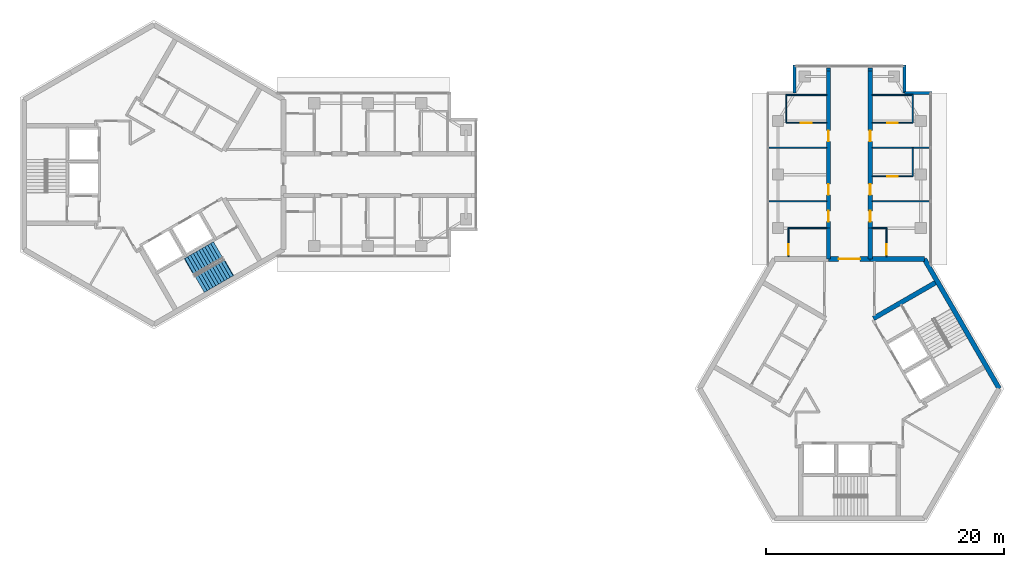
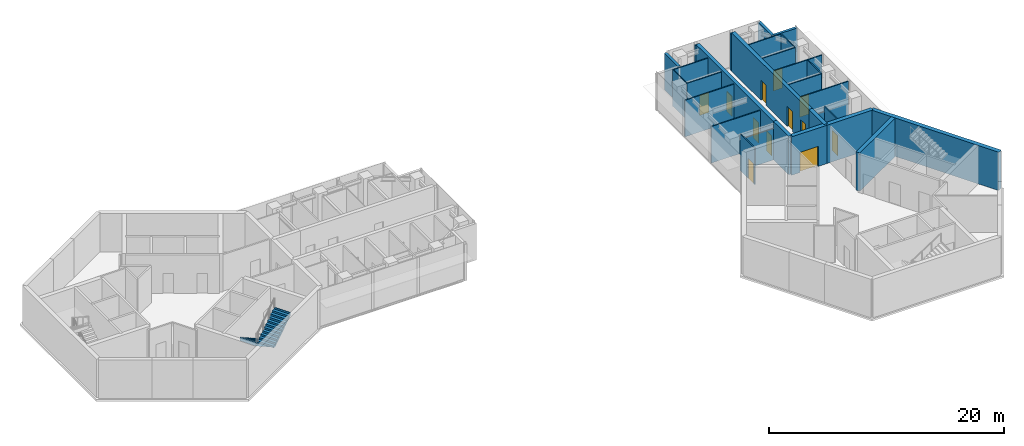
# One storey, part 9 of 11: 29 walls, 12 doors, 2 stair flights, 12 openings, 1 element without a shape of its own.
"""IFC4 building model written with IfcOpenShell, lengths in metres."""

from ifc_helpers import new_model, si_unit, direction, frame, frame_2d, origin, place, context, subcontext, project, spatial, polyline, rectangle, outline, extrude, material, layer, layer_set, type_object, element, fill, aggregate, save


model = new_model("IFC4")

# Units and contexts
model_context = context("Model", 3, precision=1e-05, world=origin(), true_north=direction((0.0, 1.0)))
body_context = subcontext(model_context, "Body", "Model", "MODEL_VIEW")
ifc_project = project(units=[si_unit("LENGTHUNIT", "METRE"), si_unit("AREAUNIT", "SQUARE_METRE"), si_unit("VOLUMEUNIT", "CUBIC_METRE"), si_unit("PLANEANGLEUNIT", "RADIAN"), si_unit("MASSUNIT", "GRAM", prefix="KILO")], contexts=[model_context])

# Site, building, storey
site_placement = place(None, origin())
site = spatial("IfcSite", under=ifc_project, at=site_placement, CompositionType="ELEMENT")
building_placement = place(site_placement, origin())
building = spatial("IfcBuilding", under=site, at=building_placement, Name="Upepo Twin Towers", CompositionType="ELEMENT")
storey_placement = place(building_placement, frame((0.0, 0.0, 279.5)))
storey = spatial("IfcBuildingStorey", under=building, at=storey_placement, Name="L68", CompositionType="ELEMENT", Elevation=279.5)

# Walls
ifc_material_1 = material(Name="Dense concrete blockwork", Category="masonry")
ifc_layer_1 = layer(ifc_material_1, 0.35009765625)
ifc_layer_set_1 = layer_set([ifc_layer_1], Name="Buttress closer 350, blockwork with fire-stopping to the curtain wall")
wall_type_1 = type_object("IfcWallType", Name="Buttress closer 350, blockwork with fire-stopping to the curtain wall", PredefinedType="PARTITIONING", material=ifc_layer_set_1)
for number, where, z_axis, x_axis, name in (
    (1, (56.75, 8.699951171875, 0.0), (0.0, 0.0, 1.0), (0.0, 1.0, 0.0), "T2 L68 wing A buttress closer L"),
    (2, (60.25, 8.699951171875, 0.0), (0.0, 0.0, 1.0), (0.0, 1.0, 0.0), "T2 L68 wing A buttress closer R"),
):
    element("IfcWall", number, at=place(storey_placement, frame(where, z_axis=z_axis, x_axis=x_axis)), inside=storey, type_object=wall_type_1, Name=name, PredefinedType="PARTITIONING", context=body_context, shape_type="SweptSolid", body=[
        extrude(rectangle(XDim=0.275146484375, YDim=0.35009765625, at=frame_2d((0.1376953125, 0.0))), origin(), (0.0, 0.0, 1.0), 3.800048828125),
    ])
ifc_material_2 = material(Name="Concrete C60/75", Category="concrete")
ifc_layer_2 = layer(ifc_material_2, 0.35009765625)
ifc_layer_set_2 = layer_set([ifc_layer_2], Name="Concrete C60/75")
wall_type_2 = type_object("IfcWallType", Name="Buttress wall 350 RC", PredefinedType="SHEAR", material=ifc_layer_set_2)
wall_1_placement = place(storey_placement, frame((56.75, -7.091552734375, 0.0), z_axis=(0.0, 0.0, 1.0), x_axis=(0.0, 1.0, 0.0)))
element("IfcWall", 3, at=wall_1_placement, inside=storey, type_object=wall_type_2, Name="T2 wing A buttress wall L", PredefinedType="SHEAR", context=body_context, shape_type="SweptSolid", body=[
    extrude(rectangle(XDim=2.591552734375, YDim=0.35009765625, at=frame_2d((1.2958984375, 0.0))), origin(), (0.0, 0.0, 1.0), 4.0),
])

# Wall, openings, doors
wall_2_placement = place(storey_placement, frame((56.75, -4.5, 0.0), z_axis=(0.0, 0.0, 1.0), x_axis=(0.0, 1.0, 0.0)))
wall_2 = element("IfcWall", 4, at=wall_2_placement, inside=storey, type_object=wall_type_2, Name="T2 wing A buttress wall L part 2", PredefinedType="SHEAR", context=body_context, shape_type="SweptSolid", body=[
    extrude(rectangle(XDim=13.199951171875, YDim=0.35009765625, at=frame_2d((6.60009765625, 0.0))), origin(), (0.0, 0.0, 1.0), 4.0),
])
opening_1_placement = place(wall_2_placement, frame((0.550048828125, 0.0, 0.0)))
opening_1 = element("IfcOpeningElement", 5, at=opening_1_placement, cuts=wall_2, Name="Opening D11", PredefinedType="OPENING", context=body_context, shape_type="SweptSolid", body=[
    extrude(rectangle(XDim=0.89990234375, YDim=2.10009765625, at=frame_2d((0.449951171875, 1.050048828125))), frame((0.0, 0.18505859375, 0.0), z_axis=(0.0, -1.0, 0.0), x_axis=(1.0, 0.0, 0.0)), (0.0, 0.0, 1.0), 0.3701171875),
])
opening_2_placement = place(wall_2_placement, frame((2.800048828125, 0.0, 0.0)))
opening_2 = element("IfcOpeningElement", 6, at=opening_2_placement, cuts=wall_2, Name="Opening D14", PredefinedType="OPENING", context=body_context, shape_type="SweptSolid", body=[
    extrude(rectangle(XDim=0.89990234375, YDim=2.10009765625, at=frame_2d((0.449951171875, 1.050048828125))), frame((0.0, 0.18505859375, 0.0), z_axis=(0.0, -1.0, 0.0), x_axis=(1.0, 0.0, 0.0)), (0.0, 0.0, 1.0), 0.3701171875),
])
opening_3_placement = place(wall_2_placement, frame((7.300048828125, 0.0, 0.0)))
opening_3 = element("IfcOpeningElement", 7, at=opening_3_placement, cuts=wall_2, Name="Opening D14", PredefinedType="OPENING", context=body_context, shape_type="SweptSolid", body=[
    extrude(rectangle(XDim=0.89990234375, YDim=2.10009765625, at=frame_2d((0.449951171875, 1.050048828125))), frame((0.0, 0.18505859375, 0.0), z_axis=(0.0, -1.0, 0.0), x_axis=(1.0, 0.0, 0.0)), (0.0, 0.0, 1.0), 0.3701171875),
])
ifc_material_3 = material(Name="Timber doorset", Category="wood")
door_type_1 = type_object("IfcDoorType", Name="Office door 900 FD30", OperationType="SINGLE_SWING_LEFT", PredefinedType="DOOR", material=ifc_material_3)
door_1_placement = place(opening_2_placement, origin())
door_1 = element("IfcDoor", 8, at=door_1_placement, inside=storey, type_object=door_type_1, Name="T2 L68 staff office door", OperationType="SINGLE_SWING_LEFT", OverallHeight=2.10009765625, OverallWidth=0.89990234375, PredefinedType="DOOR", context=body_context, shape_type="SweptSolid", body=[
    extrude(rectangle(XDim=0.89990234375, YDim=2.10009765625, at=frame_2d((0.449951171875, 1.050048828125))), frame((0.0, 0.02490234375, 0.0), z_axis=(0.0, -1.0, 0.0), x_axis=(1.0, 0.0, 0.0)), (0.0, 0.0, 1.0), 0.050048828125),
])
fill(opening_2, door_1)
door_2_placement = place(opening_3_placement, origin())
door_2 = element("IfcDoor", 9, at=door_2_placement, inside=storey, type_object=door_type_1, Name="T2 L68 meeting room door", OperationType="SINGLE_SWING_RIGHT", OverallHeight=2.10009765625, OverallWidth=0.89990234375, PredefinedType="DOOR", context=body_context, shape_type="SweptSolid", body=[
    extrude(rectangle(XDim=0.89990234375, YDim=2.10009765625, at=frame_2d((0.449951171875, 1.050048828125))), frame((0.0, 0.02490234375, 0.0), z_axis=(0.0, -1.0, 0.0), x_axis=(1.0, 0.0, 0.0)), (0.0, 0.0, 1.0), 0.050048828125),
])
fill(opening_3, door_2)
ifc_material_4 = material(Name="Timber doorset", Category="wood")
door_type_2 = type_object("IfcDoorType", Name="Toilet door 900", OperationType="SINGLE_SWING_LEFT", PredefinedType="DOOR", material=ifc_material_4)
door_3_placement = place(opening_1_placement, origin())
door_3 = element("IfcDoor", 10, at=door_3_placement, inside=storey, type_object=door_type_2, Name="T2 L68 accessible wc door", OperationType="SINGLE_SWING_LEFT", OverallHeight=2.10009765625, OverallWidth=0.89990234375, PredefinedType="DOOR", context=body_context, shape_type="SweptSolid", body=[
    extrude(rectangle(XDim=0.89990234375, YDim=2.10009765625, at=frame_2d((0.449951171875, 1.050048828125))), frame((0.0, 0.02490234375, 0.0), z_axis=(0.0, -1.0, 0.0), x_axis=(1.0, 0.0, 0.0)), (0.0, 0.0, 1.0), 0.050048828125),
])
fill(opening_1, door_3)

# Wall
wall_3_placement = place(storey_placement, frame((60.25, -7.091552734375, 0.0), z_axis=(0.0, 0.0, 1.0), x_axis=(0.0, 1.0, 0.0)))
element("IfcWall", 11, at=wall_3_placement, inside=storey, type_object=wall_type_2, Name="T2 wing A buttress wall R", PredefinedType="SHEAR", context=body_context, shape_type="SweptSolid", body=[
    extrude(rectangle(XDim=2.591552734375, YDim=0.35009765625, at=frame_2d((1.2958984375, 0.0))), origin(), (0.0, 0.0, 1.0), 4.0),
])

# Wall, openings, doors
wall_4_placement = place(storey_placement, frame((60.25, -4.5, 0.0), z_axis=(0.0, 0.0, 1.0), x_axis=(0.0, 1.0, 0.0)))
wall_4 = element("IfcWall", 12, at=wall_4_placement, inside=storey, type_object=wall_type_2, Name="T2 wing A buttress wall R part 2", PredefinedType="SHEAR", context=body_context, shape_type="SweptSolid", body=[
    extrude(rectangle(XDim=13.199951171875, YDim=0.35009765625, at=frame_2d((6.60009765625, 0.0))), origin(), (0.0, 0.0, 1.0), 4.0),
])
opening_4_placement = place(wall_4_placement, frame((0.550048828125, 0.0, 0.0)))
opening_4 = element("IfcOpeningElement", 13, at=opening_4_placement, cuts=wall_4, Name="Opening D11", PredefinedType="OPENING", context=body_context, shape_type="SweptSolid", body=[
    extrude(rectangle(XDim=0.89990234375, YDim=2.10009765625, at=frame_2d((0.449951171875, 1.050048828125))), frame((0.0, 0.18505859375, 0.0), z_axis=(0.0, -1.0, 0.0), x_axis=(1.0, 0.0, 0.0)), (0.0, 0.0, 1.0), 0.3701171875),
])
opening_5_placement = place(wall_4_placement, frame((2.800048828125, 0.0, 0.0)))
opening_5 = element("IfcOpeningElement", 14, at=opening_5_placement, cuts=wall_4, Name="Opening D14", PredefinedType="OPENING", context=body_context, shape_type="SweptSolid", body=[
    extrude(rectangle(XDim=0.89990234375, YDim=2.10009765625, at=frame_2d((0.449951171875, 1.050048828125))), frame((0.0, 0.18505859375, 0.0), z_axis=(0.0, -1.0, 0.0), x_axis=(1.0, 0.0, 0.0)), (0.0, 0.0, 1.0), 0.3701171875),
])
opening_6_placement = place(wall_4_placement, frame((7.300048828125, 0.0, 0.0)))
opening_6 = element("IfcOpeningElement", 15, at=opening_6_placement, cuts=wall_4, Name="Opening D14", PredefinedType="OPENING", context=body_context, shape_type="SweptSolid", body=[
    extrude(rectangle(XDim=0.89990234375, YDim=2.10009765625, at=frame_2d((0.449951171875, 1.050048828125))), frame((0.0, 0.18505859375, 0.0), z_axis=(0.0, -1.0, 0.0), x_axis=(1.0, 0.0, 0.0)), (0.0, 0.0, 1.0), 0.3701171875),
])
door_4_placement = place(opening_5_placement, origin())
door_4 = element("IfcDoor", 16, at=door_4_placement, inside=storey, type_object=door_type_1, Name="T2 L68 staff office door", OperationType="SINGLE_SWING_LEFT", OverallHeight=2.10009765625, OverallWidth=0.89990234375, PredefinedType="DOOR", context=body_context, shape_type="SweptSolid", body=[
    extrude(rectangle(XDim=0.89990234375, YDim=2.10009765625, at=frame_2d((0.449951171875, 1.050048828125))), frame((0.0, 0.02490234375, 0.0), z_axis=(0.0, -1.0, 0.0), x_axis=(1.0, 0.0, 0.0)), (0.0, 0.0, 1.0), 0.050048828125),
])
fill(opening_5, door_4)
door_5_placement = place(opening_6_placement, origin())
door_5 = element("IfcDoor", 17, at=door_5_placement, inside=storey, type_object=door_type_1, Name="T2 L68 postgraduate office door", OperationType="SINGLE_SWING_RIGHT", OverallHeight=2.10009765625, OverallWidth=0.89990234375, PredefinedType="DOOR", context=body_context, shape_type="SweptSolid", body=[
    extrude(rectangle(XDim=0.89990234375, YDim=2.10009765625, at=frame_2d((0.449951171875, 1.050048828125))), frame((0.0, 0.02490234375, 0.0), z_axis=(0.0, -1.0, 0.0), x_axis=(1.0, 0.0, 0.0)), (0.0, 0.0, 1.0), 0.050048828125),
])
fill(opening_6, door_5)
door_6_placement = place(opening_4_placement, origin())
door_6 = element("IfcDoor", 18, at=door_6_placement, inside=storey, type_object=door_type_2, Name="T2 L68 toilets door", OperationType="SINGLE_SWING_LEFT", OverallHeight=2.10009765625, OverallWidth=0.89990234375, PredefinedType="DOOR", context=body_context, shape_type="SweptSolid", body=[
    extrude(rectangle(XDim=0.89990234375, YDim=2.10009765625, at=frame_2d((0.449951171875, 1.050048828125))), frame((0.0, 0.02490234375, 0.0), z_axis=(0.0, -1.0, 0.0), x_axis=(1.0, 0.0, 0.0)), (0.0, 0.0, 1.0), 0.050048828125),
])
fill(opening_4, door_6)

# Wall
ifc_material_5 = material(Name="Concrete C60/75", Category="concrete")
ifc_layer_3 = layer(ifc_material_5, 0.39990234375)
ifc_layer_set_3 = layer_set([ifc_layer_3], Name="Concrete C60/75")
wall_type_3 = type_object("IfcWallType", Name="Core wall 400 RC", PredefinedType="SHEAR", material=ifc_layer_set_3)
wall_5_placement = place(storey_placement, frame((64.7978515625, -7.091552734375, 0.0), z_axis=(0.0, 0.0, 1.0), x_axis=(-1.0, 0.0, 0.0)))
element("IfcWall", 19, at=wall_5_placement, inside=storey, type_object=wall_type_3, Name="T2 core wall 000 R", PredefinedType="SHEAR", context=body_context, shape_type="SweptSolid", body=[
    extrude(rectangle(XDim=4.5478515625, YDim=0.39990234375, at=frame_2d((2.27392578125, 0.0))), origin(), (0.0, 0.0, 1.0), 4.0),
])

# Wall, opening, door
wall_6_placement = place(storey_placement, frame((60.25, -7.091552734375, 0.0), z_axis=(0.0, 0.0, 1.0), x_axis=(-1.0, 0.0, 0.0)))
wall_6 = element("IfcWall", 20, at=wall_6_placement, inside=storey, type_object=wall_type_3, Name="T2 core wall 000", PredefinedType="SHEAR", context=body_context, shape_type="SweptSolid", body=[
    extrude(rectangle(XDim=3.5, YDim=0.39990234375, at=frame_2d((1.75, 0.0))), origin(), (0.0, 0.0, 1.0), 4.0),
])
opening_7_placement = place(wall_6_placement, frame((0.85009765625, 0.0, 0.0)))
opening_7 = element("IfcOpeningElement", 21, at=opening_7_placement, cuts=wall_6, Name="Opening D2", PredefinedType="OPENING", context=body_context, shape_type="SweptSolid", body=[
    extrude(rectangle(XDim=1.800048828125, YDim=2.10009765625, at=frame_2d((0.89990234375, 1.050048828125))), frame((0.0, 0.2099609375, 0.0), z_axis=(0.0, -1.0, 0.0), x_axis=(1.0, 0.0, 0.0)), (0.0, 0.0, 1.0), 0.419921875),
])
ifc_material_6 = material(Name="Timber doorset", Category="wood")
door_type_3 = type_object("IfcDoorType", Name="Corridor double door 1800 FD60", OperationType="DOUBLE_DOOR_DOUBLE_SWING", PredefinedType="DOOR", material=ifc_material_6)
door_7_placement = place(opening_7_placement, origin())
door_7 = element("IfcDoor", 22, at=door_7_placement, inside=storey, type_object=door_type_3, Name="T2 L68 wing A corridor door", OperationType="DOUBLE_DOOR_DOUBLE_SWING", OverallHeight=2.10009765625, OverallWidth=1.800048828125, PredefinedType="DOOR", context=body_context, shape_type="SweptSolid", body=[
    extrude(rectangle(XDim=1.800048828125, YDim=2.10009765625, at=frame_2d((0.89990234375, 1.050048828125))), frame((0.0, 0.02490234375, 0.0), z_axis=(0.0, -1.0, 0.0), x_axis=(1.0, 0.0, 0.0)), (0.0, 0.0, 1.0), 0.050048828125),
])
fill(opening_7, door_7)

# Walls
wall_7_placement = place(storey_placement, frame((71.095947265625, -18.0, 0.0), z_axis=(0.0, 0.0, 1.0), x_axis=(-0.500005998175, 0.866021940709, 0.0)))
element("IfcWall", 23, at=wall_7_placement, inside=storey, type_object=wall_type_3, Name="T2 core wall 300", PredefinedType="SHEAR", context=body_context, shape_type="SweptSolid", body=[
    extrude(rectangle(XDim=12.595947265625, YDim=0.39990234375, at=frame_2d((6.2978515625, 0.0))), origin(), (0.0, 0.0, 1.0), 4.0),
])
ifc_material_7 = material(Name="Blockwork with anodised aluminium cladding", Category="masonry")
ifc_layer_4 = layer(ifc_material_7, 0.25)
ifc_layer_set_4 = layer_set([ifc_layer_4], Name="Notch cladding wall 250, pale metal")
wall_type_4 = type_object("IfcWallType", Name="Notch cladding wall 250, pale metal", PredefinedType="STANDARD", material=ifc_layer_set_4)
for number, where, z_axis, x_axis, name in (
    (24, (53.875, 6.875, 0.0), (0.0, 0.0, 1.0), (0.0, 1.0, 0.0), "T2 L68 wing A notch wall L2"),
    (25, (65.449951171875, 6.875, 0.0), (0.0, 0.0, 1.0), (-1.0, 0.0, 0.0), "T2 L68 wing A notch wall R1"),
    (26, (63.125, 6.875, 0.0), (0.0, 0.0, 1.0), (0.0, 1.0, 0.0), "T2 L68 wing A notch wall R2"),
):
    element("IfcWall", number, at=place(storey_placement, frame(where, z_axis=z_axis, x_axis=x_axis)), inside=storey, type_object=wall_type_4, Name=name, PredefinedType="STANDARD", context=body_context, shape_type="SweptSolid", body=[
        extrude(rectangle(XDim=2.324951171875, YDim=0.25, at=frame_2d((1.16259765625, 0.0))), origin(), (0.0, 0.0, 1.0), 3.800048828125),
    ])
ifc_material_8 = material(Name="Gypsum board on steel studs", Category="steel")
ifc_layer_5 = layer(ifc_material_8, 0.10009765625)
ifc_layer_set_5 = layer_set([ifc_layer_5], Name="Office partition 100 stud")
wall_type_5 = type_object("IfcWallType", Name="Office partition 100 stud", PredefinedType="PARTITIONING", material=ifc_layer_set_5)
for number, where, z_axis, x_axis, name in (
    (27, (56.574951171875, -2.25, 0.0), (0.0, 0.0, 1.0), (-1.0, 0.0, 0.0), "T2 partition AL at 15.75"),
    (28, (56.574951171875, 2.25, 0.0), (0.0, 0.0, 1.0), (-1.0, 0.0, 0.0), "T2 partition AL at 20.25"),
):
    element("IfcWall", number, at=place(storey_placement, frame(where, z_axis=z_axis, x_axis=x_axis)), inside=storey, type_object=wall_type_5, Name=name, PredefinedType="PARTITIONING", context=body_context, shape_type="SweptSolid", body=[
        extrude(rectangle(XDim=4.824951171875, YDim=0.10009765625, at=frame_2d((2.41259765625, 0.0))), origin(), (0.0, 0.0, 1.0), 3.800048828125),
    ])
wall_8_placement = place(storey_placement, frame((53.175048828125, 4.35009765625, 0.0), z_axis=(0.0, 0.0, 1.0), x_axis=(0.0, 1.0, 0.0)))
element("IfcWall", 29, at=wall_8_placement, inside=storey, type_object=wall_type_5, Name="T2 inner room partition AL at 22.35", PredefinedType="PARTITIONING", context=body_context, shape_type="SweptSolid", body=[
    extrude(rectangle(XDim=2.39990234375, YDim=0.10009765625, at=frame_2d((1.199951171875, 0.0))), origin(), (0.0, 0.0, 1.0), 3.800048828125),
])

# Wall, opening, door
wall_9_placement = place(storey_placement, frame((56.574951171875, 4.35009765625, 0.0), z_axis=(0.0, 0.0, 1.0), x_axis=(-1.0, 0.0, 0.0)))
wall_9 = element("IfcWall", 30, at=wall_9_placement, inside=storey, type_object=wall_type_5, Name="T2 inner room partition AL end at 22.35", PredefinedType="PARTITIONING", context=body_context, shape_type="SweptSolid", body=[
    extrude(rectangle(XDim=3.39990234375, YDim=0.10009765625, at=frame_2d((1.699951171875, 0.0))), origin(), (0.0, 0.0, 1.0), 3.800048828125),
])
opening_8_placement = place(wall_9_placement, frame((1.25, 0.0, 0.0)))
opening_8 = element("IfcOpeningElement", 31, at=opening_8_placement, cuts=wall_9, Name="Opening D14", PredefinedType="OPENING", context=body_context, shape_type="SweptSolid", body=[
    extrude(rectangle(XDim=0.89990234375, YDim=2.10009765625, at=frame_2d((0.449951171875, 1.050048828125))), frame((0.0, 0.06005859375, 0.0), z_axis=(0.0, -1.0, 0.0), x_axis=(1.0, 0.0, 0.0)), (0.0, 0.0, 1.0), 0.1201171875),
])
door_8_placement = place(opening_8_placement, origin())
door_8 = element("IfcDoor", 32, at=door_8_placement, inside=storey, type_object=door_type_1, Name="T2 L68 inner room door", OperationType="SINGLE_SWING_LEFT", OverallHeight=2.10009765625, OverallWidth=0.89990234375, PredefinedType="DOOR", context=body_context, shape_type="SweptSolid", body=[
    extrude(rectangle(XDim=0.89990234375, YDim=2.10009765625, at=frame_2d((0.449951171875, 1.050048828125))), frame((0.0, 0.02490234375, 0.0), z_axis=(0.0, -1.0, 0.0), x_axis=(1.0, 0.0, 0.0)), (0.0, 0.0, 1.0), 0.050048828125),
])
fill(opening_8, door_8)

# Wall
wall_10_placement = place(storey_placement, frame((56.574951171875, 6.699951171875, 0.0), z_axis=(0.0, 0.0, 1.0), x_axis=(-1.0, 0.0, 0.0)))
element("IfcWall", 33, at=wall_10_placement, inside=storey, type_object=wall_type_5, Name="T2 inner room partition AL end at 24.75", PredefinedType="PARTITIONING", context=body_context, shape_type="SweptSolid", body=[
    extrude(rectangle(XDim=3.39990234375, YDim=0.10009765625, at=frame_2d((1.699951171875, 0.0))), origin(), (0.0, 0.0, 1.0), 3.800048828125),
])

# Wall, opening, door
wall_11_placement = place(storey_placement, frame((53.375, -6.89208984375, 0.0), z_axis=(0.0, 0.0, 1.0), x_axis=(0.0, 1.0, 0.0)))
wall_11 = element("IfcWall", 34, at=wall_11_placement, inside=storey, type_object=wall_type_5, Name="T2 WC bay partition AL at 11.11", PredefinedType="PARTITIONING", context=body_context, shape_type="SweptSolid", body=[
    extrude(rectangle(XDim=2.400146484375, YDim=0.10009765625, at=frame_2d((1.2001953125, 0.0))), origin(), (0.0, 0.0, 1.0), 3.800048828125),
])
opening_9_placement = place(wall_11_placement, frame((0.14990234375, 0.0, 0.0)))
opening_9 = element("IfcOpeningElement", 35, at=opening_9_placement, cuts=wall_11, Name="Opening D14", PredefinedType="OPENING", context=body_context, shape_type="SweptSolid", body=[
    extrude(rectangle(XDim=0.89990234375, YDim=2.10009765625, at=frame_2d((0.449951171875, 1.050048828125))), frame((0.0, 0.06005859375, 0.0), z_axis=(0.0, -1.0, 0.0), x_axis=(1.0, 0.0, 0.0)), (0.0, 0.0, 1.0), 0.1201171875),
])
door_9_placement = place(opening_9_placement, origin())
door_9 = element("IfcDoor", 36, at=door_9_placement, inside=storey, type_object=door_type_1, Name="T2 L68 WC bay inner room door", OperationType="SINGLE_SWING_LEFT", OverallHeight=2.10009765625, OverallWidth=0.89990234375, PredefinedType="DOOR", context=body_context, shape_type="SweptSolid", body=[
    extrude(rectangle(XDim=0.89990234375, YDim=2.10009765625, at=frame_2d((0.449951171875, 1.050048828125))), frame((0.0, 0.02490234375, 0.0), z_axis=(0.0, -1.0, 0.0), x_axis=(1.0, 0.0, 0.0)), (0.0, 0.0, 1.0), 0.050048828125),
])
fill(opening_9, door_9)

# Walls
wall_12_placement = place(storey_placement, frame((56.574951171875, -4.491943359375, 0.0), z_axis=(0.0, 0.0, 1.0), x_axis=(-1.0, 0.0, 0.0)))
element("IfcWall", 37, at=wall_12_placement, inside=storey, type_object=wall_type_5, Name="T2 WC bay partition AL end at 13.51", PredefinedType="PARTITIONING", context=body_context, shape_type="SweptSolid", body=[
    extrude(rectangle(XDim=3.199951171875, YDim=0.10009765625, at=frame_2d((1.60009765625, 0.0))), origin(), (0.0, 0.0, 1.0), 3.266845703125),
])
for number, where, z_axis, x_axis, name in (
    (38, (60.425048828125, -2.25, 0.0), (0.0, 0.0, 1.0), (1.0, 0.0, 0.0), "T2 partition AR at 15.75"),
    (39, (60.425048828125, 2.25, 0.0), (0.0, 0.0, 1.0), (1.0, 0.0, 0.0), "T2 partition AR at 20.25"),
):
    element("IfcWall", number, at=place(storey_placement, frame(where, z_axis=z_axis, x_axis=x_axis)), inside=storey, type_object=wall_type_5, Name=name, PredefinedType="PARTITIONING", context=body_context, shape_type="SweptSolid", body=[
        extrude(rectangle(XDim=4.824951171875, YDim=0.10009765625, at=frame_2d((2.41259765625, 0.0))), origin(), (0.0, 0.0, 1.0), 3.800048828125),
    ])
wall_13_placement = place(storey_placement, frame((63.824951171875, -0.14990234375, 0.0), z_axis=(0.0, 0.0, 1.0), x_axis=(0.0, 1.0, 0.0)))
element("IfcWall", 40, at=wall_13_placement, inside=storey, type_object=wall_type_5, Name="T2 inner room partition AR at 17.85", PredefinedType="PARTITIONING", context=body_context, shape_type="SweptSolid", body=[
    extrude(rectangle(XDim=2.39990234375, YDim=0.10009765625, at=frame_2d((1.199951171875, 0.0))), origin(), (0.0, 0.0, 1.0), 3.800048828125),
])

# Wall, opening, door
wall_14_placement = place(storey_placement, frame((60.425048828125, -0.14990234375, 0.0), z_axis=(0.0, 0.0, 1.0), x_axis=(1.0, 0.0, 0.0)))
wall_14 = element("IfcWall", 41, at=wall_14_placement, inside=storey, type_object=wall_type_5, Name="T2 inner room partition AR end at 17.85", PredefinedType="PARTITIONING", context=body_context, shape_type="SweptSolid", body=[
    extrude(rectangle(XDim=3.39990234375, YDim=0.10009765625, at=frame_2d((1.699951171875, 0.0))), origin(), (0.0, 0.0, 1.0), 3.800048828125),
])
opening_10_placement = place(wall_14_placement, frame((1.25, 0.0, 0.0)))
opening_10 = element("IfcOpeningElement", 42, at=opening_10_placement, cuts=wall_14, Name="Opening D14", PredefinedType="OPENING", context=body_context, shape_type="SweptSolid", body=[
    extrude(rectangle(XDim=0.89990234375, YDim=2.10009765625, at=frame_2d((0.449951171875, 1.050048828125))), frame((0.0, 0.06005859375, 0.0), z_axis=(0.0, -1.0, 0.0), x_axis=(1.0, 0.0, 0.0)), (0.0, 0.0, 1.0), 0.1201171875),
])
door_10_placement = place(opening_10_placement, origin())
door_10 = element("IfcDoor", 43, at=door_10_placement, inside=storey, type_object=door_type_1, Name="T2 L68 inner room door", OperationType="SINGLE_SWING_LEFT", OverallHeight=2.10009765625, OverallWidth=0.89990234375, PredefinedType="DOOR", context=body_context, shape_type="SweptSolid", body=[
    extrude(rectangle(XDim=0.89990234375, YDim=2.10009765625, at=frame_2d((0.449951171875, 1.050048828125))), frame((0.0, 0.02490234375, 0.0), z_axis=(0.0, -1.0, 0.0), x_axis=(1.0, 0.0, 0.0)), (0.0, 0.0, 1.0), 0.050048828125),
])
fill(opening_10, door_10)

# Wall
wall_15_placement = place(storey_placement, frame((63.824951171875, 4.35009765625, 0.0), z_axis=(0.0, 0.0, 1.0), x_axis=(0.0, 1.0, 0.0)))
element("IfcWall", 44, at=wall_15_placement, inside=storey, type_object=wall_type_5, Name="T2 inner room partition AR at 22.35", PredefinedType="PARTITIONING", context=body_context, shape_type="SweptSolid", body=[
    extrude(rectangle(XDim=2.39990234375, YDim=0.10009765625, at=frame_2d((1.199951171875, 0.0))), origin(), (0.0, 0.0, 1.0), 3.800048828125),
])

# Wall, opening, door
wall_16_placement = place(storey_placement, frame((60.425048828125, 4.35009765625, 0.0), z_axis=(0.0, 0.0, 1.0), x_axis=(1.0, 0.0, 0.0)))
wall_16 = element("IfcWall", 45, at=wall_16_placement, inside=storey, type_object=wall_type_5, Name="T2 inner room partition AR end at 22.35", PredefinedType="PARTITIONING", context=body_context, shape_type="SweptSolid", body=[
    extrude(rectangle(XDim=3.39990234375, YDim=0.10009765625, at=frame_2d((1.699951171875, 0.0))), origin(), (0.0, 0.0, 1.0), 3.800048828125),
])
opening_11_placement = place(wall_16_placement, frame((1.25, 0.0, 0.0)))
opening_11 = element("IfcOpeningElement", 46, at=opening_11_placement, cuts=wall_16, Name="Opening D14", PredefinedType="OPENING", context=body_context, shape_type="SweptSolid", body=[
    extrude(rectangle(XDim=0.89990234375, YDim=2.10009765625, at=frame_2d((0.449951171875, 1.050048828125))), frame((0.0, 0.06005859375, 0.0), z_axis=(0.0, -1.0, 0.0), x_axis=(1.0, 0.0, 0.0)), (0.0, 0.0, 1.0), 0.1201171875),
])
door_11_placement = place(opening_11_placement, origin())
door_11 = element("IfcDoor", 47, at=door_11_placement, inside=storey, type_object=door_type_1, Name="T2 L68 inner room door", OperationType="SINGLE_SWING_LEFT", OverallHeight=2.10009765625, OverallWidth=0.89990234375, PredefinedType="DOOR", context=body_context, shape_type="SweptSolid", body=[
    extrude(rectangle(XDim=0.89990234375, YDim=2.10009765625, at=frame_2d((0.449951171875, 1.050048828125))), frame((0.0, 0.02490234375, 0.0), z_axis=(0.0, -1.0, 0.0), x_axis=(1.0, 0.0, 0.0)), (0.0, 0.0, 1.0), 0.050048828125),
])
fill(opening_11, door_11)

# Wall
wall_17_placement = place(storey_placement, frame((60.425048828125, 6.699951171875, 0.0), z_axis=(0.0, 0.0, 1.0), x_axis=(1.0, 0.0, 0.0)))
element("IfcWall", 48, at=wall_17_placement, inside=storey, type_object=wall_type_5, Name="T2 inner room partition AR end at 24.75", PredefinedType="PARTITIONING", context=body_context, shape_type="SweptSolid", body=[
    extrude(rectangle(XDim=3.39990234375, YDim=0.10009765625, at=frame_2d((1.699951171875, 0.0))), origin(), (0.0, 0.0, 1.0), 3.800048828125),
])

# Wall, opening, door
wall_18_placement = place(storey_placement, frame((61.625, -6.89208984375, 0.0), z_axis=(0.0, 0.0, 1.0), x_axis=(0.0, 1.0, 0.0)))
wall_18 = element("IfcWall", 49, at=wall_18_placement, inside=storey, type_object=wall_type_5, Name="T2 WC bay partition AR at 11.11", PredefinedType="PARTITIONING", context=body_context, shape_type="SweptSolid", body=[
    extrude(rectangle(XDim=2.400146484375, YDim=0.10009765625, at=frame_2d((1.2001953125, 0.0))), origin(), (0.0, 0.0, 1.0), 3.800048828125),
])
opening_12_placement = place(wall_18_placement, frame((0.14990234375, 0.0, 0.0)))
opening_12 = element("IfcOpeningElement", 50, at=opening_12_placement, cuts=wall_18, Name="Opening D14", PredefinedType="OPENING", context=body_context, shape_type="SweptSolid", body=[
    extrude(rectangle(XDim=0.89990234375, YDim=2.10009765625, at=frame_2d((0.449951171875, 1.050048828125))), frame((0.0, 0.06005859375, 0.0), z_axis=(0.0, -1.0, 0.0), x_axis=(1.0, 0.0, 0.0)), (0.0, 0.0, 1.0), 0.1201171875),
])
door_12_placement = place(opening_12_placement, origin())
door_12 = element("IfcDoor", 51, at=door_12_placement, inside=storey, type_object=door_type_1, Name="T2 L68 WC bay inner room door", OperationType="SINGLE_SWING_LEFT", OverallHeight=2.10009765625, OverallWidth=0.89990234375, PredefinedType="DOOR", context=body_context, shape_type="SweptSolid", body=[
    extrude(rectangle(XDim=0.89990234375, YDim=2.10009765625, at=frame_2d((0.449951171875, 1.050048828125))), frame((0.0, 0.02490234375, 0.0), z_axis=(0.0, -1.0, 0.0), x_axis=(1.0, 0.0, 0.0)), (0.0, 0.0, 1.0), 0.050048828125),
])
fill(opening_12, door_12)

# Walls
wall_19_placement = place(storey_placement, frame((60.425048828125, -4.491943359375, 0.0), z_axis=(0.0, 0.0, 1.0), x_axis=(1.0, 0.0, 0.0)))
element("IfcWall", 52, at=wall_19_placement, inside=storey, type_object=wall_type_5, Name="T2 WC bay partition AR end at 13.51", PredefinedType="PARTITIONING", context=body_context, shape_type="SweptSolid", body=[
    extrude(rectangle(XDim=1.199951171875, YDim=0.10009765625, at=frame_2d((0.60009765625, 0.0))), origin(), (0.0, 0.0, 1.0), 3.266845703125),
])
ifc_material_9 = material(Name="Concrete C40/50", Category="concrete")
ifc_layer_6 = layer(ifc_material_9, 0.39990234375)
ifc_layer_set_6 = layer_set([ifc_layer_6], Name="Concrete C40/50")
wall_type_6 = type_object("IfcWallType", Name="Shaft wall 400 RC", PredefinedType="SHEAR", material=ifc_layer_set_6)
wall_20_placement = place(storey_placement, frame((60.520263671875, -12.099365234375, 0.0), z_axis=(0.0, 0.0, 1.0), x_axis=(0.866026570101, 0.499997979876, 0.0)))
element("IfcWall", 53, at=wall_20_placement, inside=storey, type_object=wall_type_6, Name="T2 core W300 side wall N", PredefinedType="SHEAR", context=body_context, shape_type="SweptSolid", body=[
    extrude(rectangle(XDim=6.00830078125, YDim=0.39990234375, at=frame_2d((3.004150390625, 0.0))), origin(), (0.0, 0.0, 1.0), 4.0),
])

# Stair, stair flights
ifc_material_10 = material(Name="Concrete C40/50", Category="concrete")
stair_type = type_object("IfcStairType", Name="Core stair, two flights", PredefinedType="HALF_TURN_STAIR", material=ifc_material_10)
stair_placement = place(storey_placement, origin())
stair = element("IfcStair", 54, at=stair_placement, inside=storey, type_object=stair_type, Name="T1 stair S2 L68", PredefinedType="HALF_TURN_STAIR")
ifc_material_11 = material(Name="Concrete C40/50", Category="concrete")
stair_flight_type = type_object("IfcStairFlightType", Name="Stair flight 1600 RC", PredefinedType="STRAIGHT", material=ifc_material_11)
stair_flight_1_placement = place(storey_placement, frame((5.416259765625, -6.34130859375, 0.0), z_axis=(0.0, 0.0, 1.0), x_axis=(-0.866025403784, -0.5, 0.0)))
stair_flight_1 = element("IfcStairFlight", 55, at=stair_flight_1_placement, type_object=stair_flight_type, Name="Stair S2 flight 1", NumberOfRisers=11, NumberOfTreads=10, PredefinedType="STRAIGHT", RiserHeight=0.181818182, TreadLength=0.28, context=body_context, shape_type="SweptSolid", body=[
    extrude(outline(polyline([(0.0, 0.0), (0.0, 0.181884765625), (0.280029296875, 0.181884765625), (0.280029296875, 0.363525390625), (0.56005859375, 0.363525390625), (0.56005859375, 0.54541015625), (0.840087890625, 0.54541015625), (0.840087890625, 0.727294921875), (1.1201171875, 0.727294921875), (1.1201171875, 0.9091796875), (1.39990234375, 0.9091796875), (1.39990234375, 1.0908203125), (1.679931640625, 1.0908203125), (1.679931640625, 1.272705078125), (1.9599609375, 1.272705078125), (1.9599609375, 1.45458984375), (2.239990234375, 1.45458984375), (2.239990234375, 1.636474609375), (2.52001953125, 1.636474609375), (2.52001953125, 1.818115234375), (2.800048828125, 1.818115234375), (2.800048828125, 2.0), (2.85009765625, 2.0), (2.85009765625, 1.639404296875), (0.3251953125, 0.0), (0.0, 0.0)])), frame((0.0, 0.800048828125, 0.0), z_axis=(0.0, -1.0, 0.0), x_axis=(1.0, 0.0, 0.0)), (0.0, 0.0, 1.0), 1.60009765625),
])
stair_flight_2_placement = place(storey_placement, frame((3.845703125, -9.220947265625, 2.0), z_axis=(0.0, 0.0, 1.0), x_axis=(0.866025403784, 0.5, 0.0)))
stair_flight_2 = element("IfcStairFlight", 56, at=stair_flight_2_placement, type_object=stair_flight_type, Name="Stair S2 flight 2", NumberOfRisers=11, NumberOfTreads=10, PredefinedType="STRAIGHT", RiserHeight=0.181818182, TreadLength=0.28, context=body_context, shape_type="SweptSolid", body=[
    extrude(outline(polyline([(0.0, 0.0), (0.0, 0.181884765625), (0.280029296875, 0.181884765625), (0.280029296875, 0.363525390625), (0.56005859375, 0.363525390625), (0.56005859375, 0.54541015625), (0.840087890625, 0.54541015625), (0.840087890625, 0.727294921875), (1.1201171875, 0.727294921875), (1.1201171875, 0.9091796875), (1.39990234375, 0.9091796875), (1.39990234375, 1.0908203125), (1.679931640625, 1.0908203125), (1.679931640625, 1.272705078125), (1.9599609375, 1.272705078125), (1.9599609375, 1.45458984375), (2.239990234375, 1.45458984375), (2.239990234375, 1.636474609375), (2.52001953125, 1.636474609375), (2.52001953125, 1.818115234375), (2.800048828125, 1.818115234375), (2.800048828125, 2.0), (2.85009765625, 2.0), (2.85009765625, 1.639404296875), (0.3251953125, 0.0), (0.0, 0.0)])), frame((0.0, 0.800048828125, 0.0), z_axis=(0.0, -1.0, 0.0), x_axis=(1.0, 0.0, 0.0)), (0.0, 0.0, 1.0), 1.60009765625),
])
aggregate(stair, [stair_flight_1, stair_flight_2])

save(model, "model.ifc")
